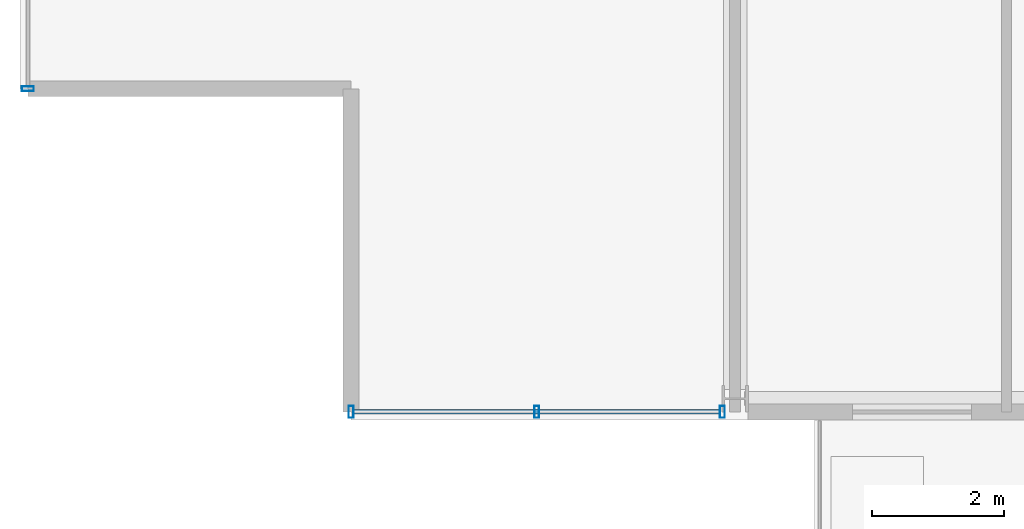
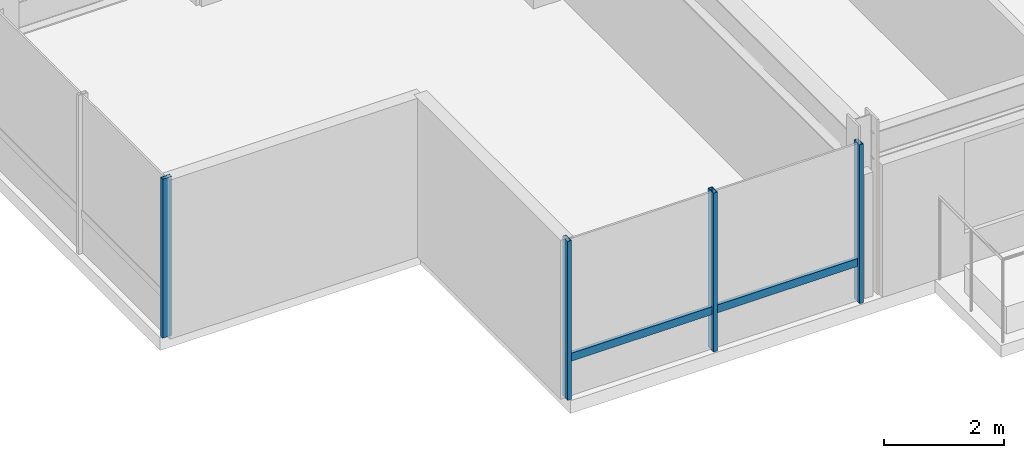
# One storey, part 2 of 33: 5 members, 2 elements without a shape of their own.
"""IFC4 building model written with IfcOpenShell, lengths in metres."""

from ifc_helpers import new_model, si_unit, direction, frame, origin, origin_2d, place, context, subcontext, project, spatial, hollow_rectangle, extrude, material, layer, layer_set, material_profile, profile_set, type_object, element, aggregate, save


model = new_model("IFC4")

# Units and contexts
model_context = context("Model", 3, precision=1e-05, world=origin(), true_north=direction((0.0, 1.0)))
body_context = subcontext(model_context, "Body", "Model", "MODEL_VIEW")
ifc_project = project(units=[si_unit("LENGTHUNIT", "METRE"), si_unit("AREAUNIT", "SQUARE_METRE"), si_unit("VOLUMEUNIT", "CUBIC_METRE"), si_unit("PLANEANGLEUNIT", "RADIAN"), si_unit("MASSUNIT", "GRAM", prefix="KILO")], contexts=[model_context])

# Site, building, storey
site_placement = place(None, origin())
site = spatial("IfcSite", under=ifc_project, at=site_placement, CompositionType="ELEMENT")
building_placement = place(site_placement, origin())
building = spatial("IfcBuilding", under=site, at=building_placement, Name="Drelvath Grand Hotel", CompositionType="ELEMENT")
storey_placement = place(building_placement, frame((0.0, 0.0, 196.550048828125)))
storey = spatial("IfcBuildingStorey", under=building, at=storey_placement, Name="L51", CompositionType="ELEMENT", Elevation=196.550048828125)

# Curtain wall, member
ifc_material = material(Name="Brushed Pale-Silver Anodised Aluminium Frame", Category="aluminium")
ifc_layer = layer(ifc_material, 0.199951171875)
ifc_layer_set = layer_set([ifc_layer], Name="Brushed Pale-Silver Anodised Aluminium Frame")
curtain_wall_type = type_object("IfcCurtainWallType", Name="Stick Curtain Wall CW-04 Brushed Silver Upper-Mid", PredefinedType="NOTDEFINED", material=ifc_layer_set)
curtain_wall_1_placement = place(storey_placement, origin())
curtain_wall_1 = element("IfcCurtainWall", 1, at=curtain_wall_1_placement, inside=storey, type_object=curtain_wall_type, Name="L51 CW-04 Curtain Wall CW04-L51-SW1", PredefinedType="NOTDEFINED")
ifc_material_profile_1 = material_profile(ifc_material, hollow_rectangle(XDim=0.06494140625, YDim=0.159912109375, WallThickness=0.00390625, at=origin_2d()), Name="HSS160X65X4")
ifc_profile_set_1 = profile_set([ifc_material_profile_1], Name="Brushed Pale-Silver Anodised Aluminium Frame")
member_type_1 = type_object("IfcMemberType", Name="Curtain Wall Horizontal Transom CW-04 HSS160X65X4", PredefinedType="USERDEFINED", material=ifc_profile_set_1)
member_1_placement = place(storey_placement, frame((-16.431640625, 0.1201171875, 0.807373046875), z_axis=(-1.0, 0.0, 0.0), x_axis=(0.0, -1.0, 0.0)))
member_1 = element("IfcMember", 2, at=member_1_placement, type_object=member_type_1, Name="CW04-L51-SW1 Sill Transom", ObjectType="TRANSOM", PredefinedType="USERDEFINED", context=body_context, shape_type="SweptSolid", body=[
    extrude(hollow_rectangle(XDim=0.06494140625, YDim=0.159912109375, WallThickness=0.00390625, at=origin_2d()), origin(), (0.0, 0.0, 1.0), 5.5283203125),
])

curtain_wall_2_placement = place(storey_placement, origin())
curtain_wall_2 = element("IfcCurtainWall", 3, at=curtain_wall_2_placement, inside=storey, type_object=curtain_wall_type, Name="L51 CW-04 Curtain Wall CW04-L51-WS1", PredefinedType="NOTDEFINED")
ifc_material_profile_2 = material_profile(ifc_material, hollow_rectangle(XDim=0.074951171875, YDim=0.179931640625, WallThickness=0.0048828125, at=origin_2d()), Name="HSS180X75X5")
ifc_profile_set_2 = profile_set([ifc_material_profile_2], Name="Brushed Pale-Silver Anodised Aluminium Frame")
member_type_2 = type_object("IfcMemberType", Name="Curtain Wall Vertical Mullion CW-04 HSS180X75X5", PredefinedType="MULLION", material=ifc_profile_set_2)
member_2_placement = place(storey_placement, frame((-26.8798828125, 5.0, 0.0), z_axis=(0.0, 0.0, 1.0), x_axis=(0.0, 1.0, 0.0)))
member_2 = element("IfcMember", 4, at=member_2_placement, type_object=member_type_2, Name="CW04-L51-WS1 Mullion 1", PredefinedType="MULLION", context=body_context, shape_type="SweptSolid", body=[
    extrude(hollow_rectangle(XDim=0.074951171875, YDim=0.179931640625, WallThickness=0.0048828125, at=origin_2d()), origin(), (0.0, 0.0, 1.0), 3.22998046875),
])
aggregate(curtain_wall_2, [member_2])

# Member
member_3_placement = place(storey_placement, frame((-16.3916015625, 0.1201171875, 0.0), z_axis=(0.0, 0.0, 1.0), x_axis=(1.0, 0.0, 0.0)))
member_3 = element("IfcMember", 5, at=member_3_placement, type_object=member_type_2, Name="CW04-L51-SW1 Mullion 1", PredefinedType="MULLION", context=body_context, shape_type="SweptSolid", body=[
    extrude(hollow_rectangle(XDim=0.074951171875, YDim=0.179931640625, WallThickness=0.0048828125, at=origin_2d()), origin(), (0.0, 0.0, 1.0), 3.22998046875),
])

member_4_placement = place(storey_placement, frame((-19.19580078125, 0.1201171875, 0.0), z_axis=(0.0, 0.0, 1.0), x_axis=(1.0, 0.0, 0.0)))
member_4 = element("IfcMember", 6, at=member_4_placement, type_object=member_type_2, Name="CW04-L51-SW1 Mullion 2", PredefinedType="MULLION", context=body_context, shape_type="SweptSolid", body=[
    extrude(hollow_rectangle(XDim=0.074951171875, YDim=0.179931640625, WallThickness=0.0048828125, at=origin_2d()), origin(), (0.0, 0.0, 1.0), 3.22998046875),
])

member_5_placement = place(storey_placement, frame((-22.0, 0.1201171875, 0.0), z_axis=(0.0, 0.0, 1.0), x_axis=(1.0, 0.0, 0.0)))
member_5 = element("IfcMember", 7, at=member_5_placement, type_object=member_type_2, Name="CW04-L51-SW1 Mullion 3", PredefinedType="MULLION", context=body_context, shape_type="SweptSolid", body=[
    extrude(hollow_rectangle(XDim=0.074951171875, YDim=0.179931640625, WallThickness=0.0048828125, at=origin_2d()), origin(), (0.0, 0.0, 1.0), 3.22998046875),
])

aggregate(curtain_wall_1, [member_3, member_4, member_5, member_1])

save(model, "model.ifc")
